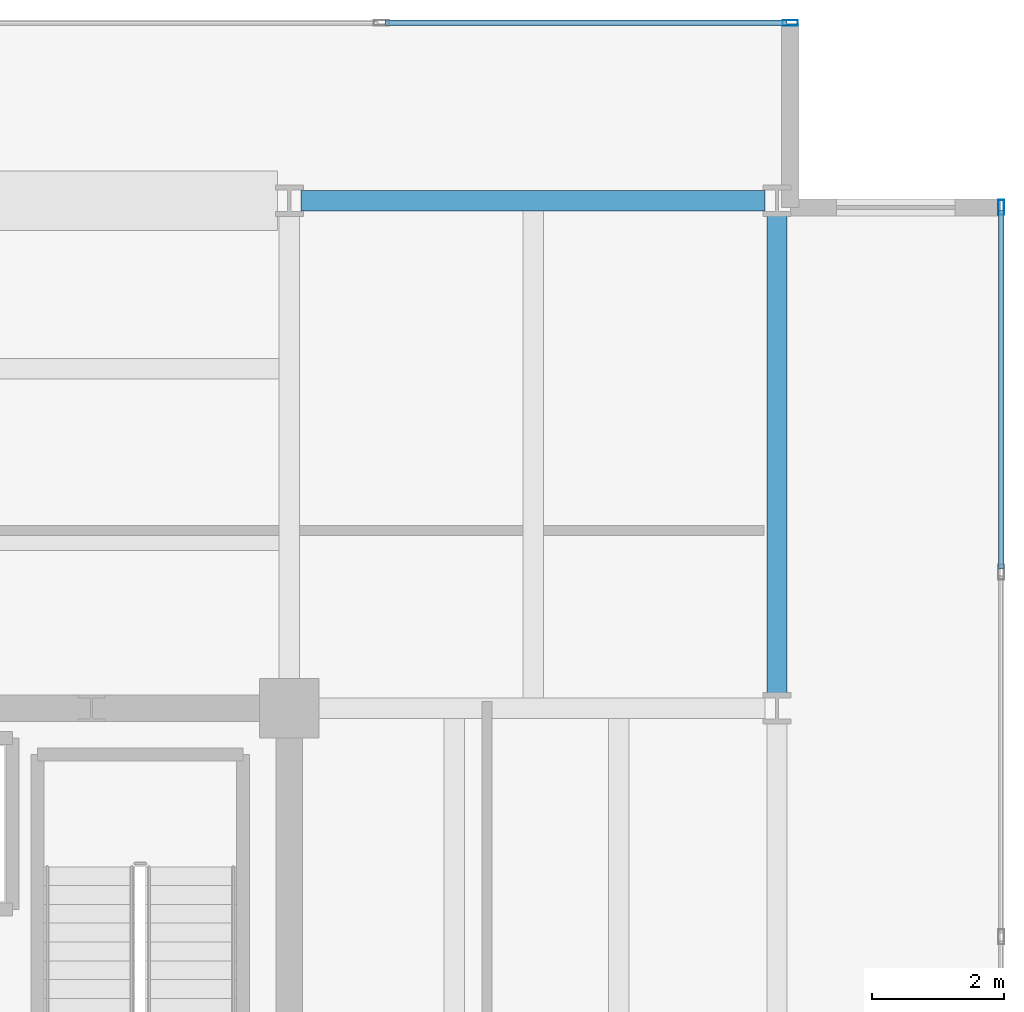
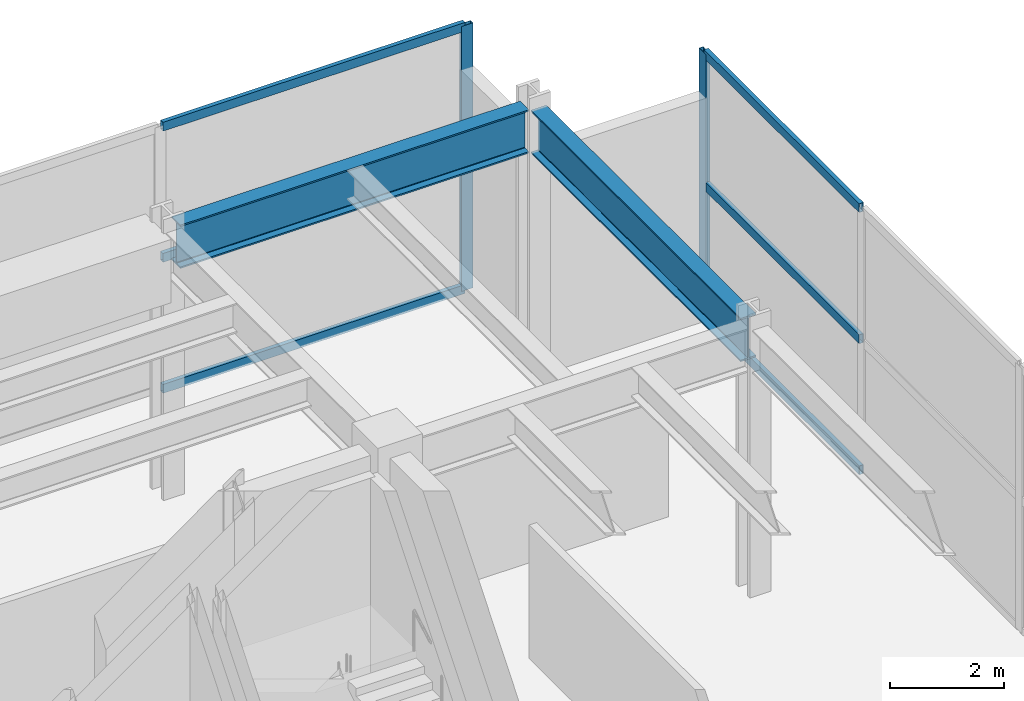
# One storey, part 16 of 21: 8 members, 2 beams, 2 elements without a shape of their own.
"""IFC4 building model written with IfcOpenShell, lengths in metres."""

import ifcopenshell
import ifcopenshell.guid

model = None  # the IFC model being written
_history = None  # IfcOwnerHistory: only IFC2X3 demands one
_inside = {}  # id of a spatial element -> (the spatial element, [elements in it])
_under = {}  # id of a project, library or spatial element -> (it, [spatial elements below it])
_declared = {}  # id of a project -> (the project, [libraries it declares])
_typed = {}  # id of a type object -> (the type object, [elements of that type])
_made_of = {}  # id of a material, layer set ... -> (it, [elements and type objects made of it])


def new_model(schema):
    """Start an empty IFC model of exactly this schema.

    Asked for "IFC4X3", IfcOpenShell would pick the latest addendum, in which some entities
    have other attributes; the version numbers below select the first issue.
    IFC2X3 requires an IfcOwnerHistory on every rooted entity: one is made here for all.
    """
    global model, _history
    if schema == "IFC4X3":
        model = ifcopenshell.file(schema_version=(4, 3, 0, 0))
    else:
        model = ifcopenshell.file(schema=schema)
    _inside.clear()
    _under.clear()
    _declared.clear()
    _typed.clear()
    _made_of.clear()
    _history = None
    if model.schema == "IFC2X3":
        org = make("IfcOrganization", Name="unknown")
        user = make(
            "IfcPersonAndOrganization",
            ThePerson=make("IfcPerson", FamilyName="unknown"),
            TheOrganization=org,
        )
        app = make(
            "IfcApplication",
            ApplicationDeveloper=org,
            Version="unknown",
            ApplicationFullName="unknown",
            ApplicationIdentifier="unknown",
        )
        _history = make(
            "IfcOwnerHistory",
            OwningUser=user,
            OwningApplication=app,
            ChangeAction="ADDED",
            CreationDate=0,
        )
    return model


def make(cls, **values):
    """One entity of the class cls with the attributes given. An attribute that is None is left unset."""
    return model.create_entity(
        cls, **{name: value for name, value in values.items() if value is not None}
    )


def rooted(cls, **values):
    """An entity with a GlobalId (a new one), such as an element, a storey or a relation."""
    return make(cls, GlobalId=ifcopenshell.guid.new(), OwnerHistory=_history, **values)


def si_unit(unit_type, name, prefix=None):
    """IfcSIUnit, for example si_unit("LENGTHUNIT", "METRE", prefix="MILLI")."""
    return make("IfcSIUnit", UnitType=unit_type, Prefix=prefix, Name=name)


def assignment(units):
    """IfcUnitAssignment: the units of a project."""
    return None if units is None else make("IfcUnitAssignment", Units=units)


def point(xyz):
    """IfcCartesianPoint."""
    return None if xyz is None else make("IfcCartesianPoint", Coordinates=xyz)


def direction(xyz):
    """IfcDirection."""
    return None if xyz is None else make("IfcDirection", DirectionRatios=xyz)


def frame(location, z_axis=None, x_axis=None):
    """IfcAxis2Placement3D, a coordinate frame: its origin and axes. An axis left out is left unset."""
    return make(
        "IfcAxis2Placement3D",
        Location=point(location),
        Axis=direction(z_axis),
        RefDirection=direction(x_axis),
    )


def frame_2d(location, x_axis=None):
    """IfcAxis2Placement2D, a coordinate frame in the plane: its origin and x axis."""
    return make(
        "IfcAxis2Placement2D", Location=point(location), RefDirection=direction(x_axis)
    )


def origin():
    """The frame at (0, 0, 0) with its axes left unset."""
    return frame((0.0, 0.0, 0.0))


def origin_2d():
    """The frame at (0, 0) in the plane with its x axis left unset."""
    return frame_2d((0.0, 0.0))


def place(relative_to, where):
    """IfcLocalPlacement: puts the frame where relative to a parent placement (None: the world)."""
    return make(
        "IfcLocalPlacement", PlacementRelTo=relative_to, RelativePlacement=where
    )


def context(
    kind, dimensions, precision=None, world=None, true_north=None, identifier=None
):
    """IfcGeometricRepresentationContext, for example the 3D "Model" context."""
    return make(
        "IfcGeometricRepresentationContext",
        ContextIdentifier=identifier,
        ContextType=kind,
        CoordinateSpaceDimension=dimensions,
        Precision=precision,
        WorldCoordinateSystem=world,
        TrueNorth=true_north,
    )


def subcontext(parent, identifier, kind, view, scale=None):
    """IfcGeometricRepresentationSubContext, for example "Body" below "Model"."""
    return make(
        "IfcGeometricRepresentationSubContext",
        ContextIdentifier=identifier,
        ContextType=kind,
        ParentContext=parent,
        TargetScale=scale,
        TargetView=view,
    )


def project(units=None, contexts=None):
    """IfcProject with its units and contexts."""
    return rooted(
        "IfcProject",
        Name="project",
        RepresentationContexts=contexts,
        UnitsInContext=assignment(units),
    )


def spatial(cls, under=None, at=None, **own):
    """A site, building, storey or space (cls), placed at a placement, below another one or the project."""
    s = rooted(cls, ObjectPlacement=at, **own)
    if under is not None:
        _under.setdefault(under.id(), (under, []))[1].append(s)
    return s


def profile(cls, at=None, kind="AREA", **sizes):
    """A parametric profile (cls). Its sizes go by their IFC names, for example OverallWidth=200.0."""
    return make(cls, ProfileType=kind, Position=at, **sizes)


def hollow_rectangle(**sizes):
    """IfcRectangleHollowProfileDef."""
    return profile("IfcRectangleHollowProfileDef", **sizes)


def i_section(**sizes):
    """IfcIShapeProfileDef."""
    return profile("IfcIShapeProfileDef", **sizes)


def extrude(swept, where, along, depth):
    """IfcExtrudedAreaSolid: the profile swept, set in the frame where, extruded along a direction by depth."""
    return make(
        "IfcExtrudedAreaSolid",
        SweptArea=swept,
        Position=where,
        ExtrudedDirection=direction(along),
        Depth=depth,
    )


def shape(context_of_items, identifier, shape_type, items):
    """IfcShapeRepresentation: the items that make up one representation, for example the "Body"."""
    return make(
        "IfcShapeRepresentation",
        ContextOfItems=context_of_items,
        RepresentationIdentifier=identifier,
        RepresentationType=shape_type,
        Items=items,
    )


def material(Name=None, Category=None):
    """IfcMaterial."""
    return make("IfcMaterial", Name=Name, Category=Category)


def material_profile(
    of_material, cross_section, Name=None, Category=None, Priority=None
):
    """IfcMaterialProfile: a cross section and its material."""
    return make(
        "IfcMaterialProfile",
        Name=Name,
        Material=of_material,
        Profile=cross_section,
        Priority=Priority,
        Category=Category,
    )


def profile_set(profiles, Name=None, composite=None):
    """IfcMaterialProfileSet."""
    return make(
        "IfcMaterialProfileSet",
        Name=Name,
        MaterialProfiles=profiles,
        CompositeProfile=composite,
    )


def made_of(thing, what):
    """Note that an element or type object is made of a material, layer set ...; save() writes the relation."""
    if what is not None:
        _made_of.setdefault(what.id(), (what, []))[1].append(thing)
    return thing


def type_object(cls, material=None, **own):
    """A type object (cls), such as IfcWallType, which elements share."""
    return made_of(rooted(cls, **own), material)


def element(
    cls,
    number,
    at=None,
    inside=None,
    cuts=None,
    type_object=None,
    material=None,
    context=None,
    identifier="Body",
    shape_type=None,
    held_by="IfcProductDefinitionShape",
    body=None,
    shapes=None,
    **own,
):
    """One element of the class cls, such as IfcWall. Its Tag is "e" and its number.

    at: its placement. inside: the storey or other place that contains it. cuts: it is an
    opening in that element (IfcRelVoidsElement). A single representation is given by context,
    identifier, shape_type and body (its items); several are given by shapes. held_by: the class
    of the entity that holds the representations. save() writes the other relations.
    """
    e = rooted(cls, Tag="e%d" % number, ObjectPlacement=at, **own)
    if body is not None:
        shapes = [shape(context, identifier, shape_type, body)]
    if shapes is not None:
        e.Representation = make(held_by, Representations=shapes)
    if inside is not None:
        _inside.setdefault(inside.id(), (inside, []))[1].append(e)
    if cuts is not None:
        rooted(
            "IfcRelVoidsElement", RelatingBuildingElement=cuts, RelatedOpeningElement=e
        )
    if type_object is not None:
        _typed.setdefault(type_object.id(), (type_object, []))[1].append(e)
    return made_of(e, material)


def aggregate(whole, parts):
    """IfcRelAggregates: a whole, such as a stair, and the parts it consists of."""
    return rooted("IfcRelAggregates", RelatingObject=whole, RelatedObjects=parts)


def save(model, path):
    """Write the relations noted so far, then the file.

    IfcRelAggregates (storeys below a building ...), IfcRelContainedInSpatialStructure (elements
    in a storey), IfcRelDefinesByType, IfcRelAssociatesMaterial and IfcRelDeclares: one each for
    every whole, place, type object, material and project.
    """
    for whole, parts in _under.values():
        aggregate(whole, parts)
    for where, things in _inside.values():
        rooted(
            "IfcRelContainedInSpatialStructure",
            RelatedElements=things,
            RelatingStructure=where,
        )
    for kind, things in _typed.values():
        rooted("IfcRelDefinesByType", RelatedObjects=things, RelatingType=kind)
    for what, things in _made_of.values():
        rooted("IfcRelAssociatesMaterial", RelatedObjects=things, RelatingMaterial=what)
    for by, libraries in _declared.values():
        rooted("IfcRelDeclares", RelatingContext=by, RelatedDefinitions=libraries)
    model.write(path)


model = new_model("IFC4")

# Units and contexts
model_context = context("Model", 3, precision=1e-05, world=origin(), true_north=direction((0.0, 1.0)))
body_context = subcontext(model_context, "Body", "Model", "MODEL_VIEW")
ifc_project = project(units=[si_unit("LENGTHUNIT", "METRE"), si_unit("AREAUNIT", "SQUARE_METRE"), si_unit("VOLUMEUNIT", "CUBIC_METRE"), si_unit("PLANEANGLEUNIT", "RADIAN"), si_unit("MASSUNIT", "GRAM", prefix="KILO")], contexts=[model_context])

# Site, building, storey
site_placement = place(None, origin())
site = spatial("IfcSite", under=ifc_project, at=site_placement, CompositionType="ELEMENT")
building_placement = place(site_placement, origin())
building = spatial("IfcBuilding", under=site, at=building_placement, Name="Kovane Verandah Tower", CompositionType="ELEMENT")
storey_placement = place(building_placement, frame((0.0, 0.0, 342.800048828125)))
storey = spatial("IfcBuildingStorey", under=building, at=storey_placement, Name="L80", CompositionType="ELEMENT", Elevation=342.800048828125)

# Beams
ifc_material_1 = material(Name="Steel S460", Category="steel")
ifc_material_profile_1 = material_profile(ifc_material_1, i_section(OverallWidth=0.3076171875, OverallDepth=0.926513671875, WebThickness=0.01953125, FlangeThickness=0.031982421875, FilletRadius=0.01904296875, at=origin_2d()), Name="UB914x305x289")
ifc_profile_set_1 = profile_set([ifc_material_profile_1], Name="Steel S460")
beam_type = type_object("IfcBeamType", Name="BM-UB914x289", PredefinedType="BEAM", material=ifc_profile_set_1)
beam_1_placement = place(storey_placement, frame((51.179931640625, 44.199951171875, 5.236572265625), z_axis=(1.0, 0.0, 0.0), x_axis=(0.0, 1.0, 0.0)))
element("IfcBeam", 1, at=beam_1_placement, inside=storey, type_object=beam_type, Name="L80 Primary Tower Girder G-RN3", PredefinedType="BEAM", context=body_context, shape_type="SweptSolid", body=[
    extrude(i_section(OverallWidth=0.3076171875, OverallDepth=0.926513671875, WebThickness=0.01953125, FlangeThickness=0.031982421875, FilletRadius=0.01904296875, at=origin_2d()), origin(), (0.0, 0.0, 1.0), 7.0400390625),
])
beam_2_placement = place(storey_placement, frame((58.39990234375, 36.679931640625, 5.236572265625), z_axis=(0.0, 1.0, 0.0), x_axis=(-1.0, 0.0, 0.0)))
element("IfcBeam", 2, at=beam_2_placement, inside=storey, type_object=beam_type, Name="L80 Primary Tower Girder G-RE3", PredefinedType="BEAM", context=body_context, shape_type="SweptSolid", body=[
    extrude(i_section(OverallWidth=0.3076171875, OverallDepth=0.926513671875, WebThickness=0.01953125, FlangeThickness=0.031982421875, FilletRadius=0.01904296875, at=origin_2d()), origin(), (0.0, 0.0, 1.0), 7.340087890625),
])

# Curtain wall, member
ifc_material_2 = material(Name="Champagne Anodised Aluminium Frame with Low-E Clear Laminated Glass", Category="aluminium")
curtain_wall_type = type_object("IfcCurtainWallType", Name="CW-SYS-06-CROWN", PredefinedType="NOTDEFINED", material=ifc_material_2)
curtain_wall_1_placement = place(storey_placement, origin())
curtain_wall_1 = element("IfcCurtainWall", 3, at=curtain_wall_1_placement, inside=storey, type_object=curtain_wall_type, Name="L80 E Unitised Curtain Wall", PredefinedType="NOTDEFINED")
ifc_material_3 = material(Name="Champagne Anodised Aluminium 6063-T6", Category="aluminium")
ifc_material_profile_2 = material_profile(ifc_material_3, hollow_rectangle(XDim=0.0849609375, YDim=0.22998046875, WallThickness=0.00390625, at=origin_2d()), Name="AL85x230x4")
ifc_profile_set_2 = profile_set([ifc_material_profile_2], Name="Champagne Anodised Aluminium 6063-T6")
member_type_1 = type_object("IfcMemberType", Name="CW-MUL-85x230", PredefinedType="MULLION", material=ifc_profile_set_2)
member_1_placement = place(storey_placement, frame((61.800048828125, 44.10009765625, 0.02001953125), z_axis=(0.0, 0.0, 1.0), x_axis=(1.0, 0.0, 0.0)))
member_1 = element("IfcMember", 4, at=member_1_placement, type_object=member_type_1, Name="L80 E Unitised Curtain Wall Mullion 7", PredefinedType="MULLION", context=body_context, shape_type="SweptSolid", body=[
    extrude(hollow_rectangle(XDim=0.0849609375, YDim=0.22998046875, WallThickness=0.00390625, at=origin_2d()), origin(), (0.0, 0.0, 1.0), 5.659912109375),
])

curtain_wall_2_placement = place(storey_placement, origin())
curtain_wall_2 = element("IfcCurtainWall", 5, at=curtain_wall_2_placement, inside=storey, type_object=curtain_wall_type, Name="L80 N Unitised Curtain Wall", PredefinedType="NOTDEFINED")
member_2_placement = place(storey_placement, frame((58.60009765625, 46.89990234375, 0.02001953125), z_axis=(0.0, 0.0, 1.0), x_axis=(0.0, 1.0, 0.0)))
member_2 = element("IfcMember", 6, at=member_2_placement, type_object=member_type_1, Name="L80 N Unitised Curtain Wall Mullion 1", PredefinedType="MULLION", context=body_context, shape_type="SweptSolid", body=[
    extrude(hollow_rectangle(XDim=0.0849609375, YDim=0.22998046875, WallThickness=0.00390625, at=origin_2d()), origin(), (0.0, 0.0, 1.0), 5.659912109375),
])

# Member
ifc_material_profile_3 = material_profile(ifc_material_3, hollow_rectangle(XDim=0.0849609375, YDim=0.18994140625, WallThickness=0.00390625, at=origin_2d()), Name="AL85x190x4")
ifc_profile_set_3 = profile_set([ifc_material_profile_3], Name="Champagne Anodised Aluminium 6063-T6")
member_type_2 = type_object("IfcMemberType", Name="CW-TRN-85x190", PredefinedType="USERDEFINED", material=ifc_profile_set_3)
member_3_placement = place(storey_placement, frame((61.800048828125, 38.61669921875, 0.050048828125), z_axis=(0.0, 1.0, 0.0), x_axis=(-1.0, 0.0, 0.0)))
member_3 = element("IfcMember", 7, at=member_3_placement, type_object=member_type_2, Name="L80 E Unitised Curtain Wall Transom TB Bay 6", ObjectType="TRANSOM", PredefinedType="USERDEFINED", context=body_context, shape_type="SweptSolid", body=[
    extrude(hollow_rectangle(XDim=0.0849609375, YDim=0.18994140625, WallThickness=0.00390625, at=origin_2d()), origin(), (0.0, 0.0, 1.0), 5.433349609375),
])

member_4_placement = place(storey_placement, frame((61.800048828125, 38.61669921875, 2.849853515625), z_axis=(0.0, 1.0, 0.0), x_axis=(-1.0, 0.0, 0.0)))
member_4 = element("IfcMember", 8, at=member_4_placement, type_object=member_type_2, Name="L80 E Unitised Curtain Wall Transom TM Bay 6", ObjectType="TRANSOM", PredefinedType="USERDEFINED", context=body_context, shape_type="SweptSolid", body=[
    extrude(hollow_rectangle(XDim=0.0849609375, YDim=0.18994140625, WallThickness=0.00390625, at=origin_2d()), origin(), (0.0, 0.0, 1.0), 5.433349609375),
])

member_5_placement = place(storey_placement, frame((61.800048828125, 38.61669921875, 5.64990234375), z_axis=(0.0, 1.0, 0.0), x_axis=(-1.0, 0.0, 0.0)))
member_5 = element("IfcMember", 9, at=member_5_placement, type_object=member_type_2, Name="L80 E Unitised Curtain Wall Transom TT Bay 6", ObjectType="TRANSOM", PredefinedType="USERDEFINED", context=body_context, shape_type="SweptSolid", body=[
    extrude(hollow_rectangle(XDim=0.0849609375, YDim=0.18994140625, WallThickness=0.00390625, at=origin_2d()), origin(), (0.0, 0.0, 1.0), 5.433349609375),
])

aggregate(curtain_wall_1, [member_1, member_3, member_4, member_5])

member_6_placement = place(storey_placement, frame((58.550048828125, 46.89990234375, 0.050048828125), z_axis=(-1.0, 0.0, 0.0), x_axis=(0.0, -1.0, 0.0)))
member_6 = element("IfcMember", 10, at=member_6_placement, type_object=member_type_2, Name="L80 N Unitised Curtain Wall Transom TB Bay 1", ObjectType="TRANSOM", PredefinedType="USERDEFINED", context=body_context, shape_type="SweptSolid", body=[
    extrude(hollow_rectangle(XDim=0.0849609375, YDim=0.18994140625, WallThickness=0.00390625, at=origin_2d()), origin(), (0.0, 0.0, 1.0), 6.10009765625),
])

member_7_placement = place(storey_placement, frame((58.550048828125, 46.89990234375, 2.849853515625), z_axis=(-1.0, 0.0, 0.0), x_axis=(0.0, -1.0, 0.0)))
member_7 = element("IfcMember", 11, at=member_7_placement, type_object=member_type_2, Name="L80 N Unitised Curtain Wall Transom TM Bay 1", ObjectType="TRANSOM", PredefinedType="USERDEFINED", context=body_context, shape_type="SweptSolid", body=[
    extrude(hollow_rectangle(XDim=0.0849609375, YDim=0.18994140625, WallThickness=0.00390625, at=origin_2d()), origin(), (0.0, 0.0, 1.0), 6.10009765625),
])

member_8_placement = place(storey_placement, frame((58.550048828125, 46.89990234375, 5.64990234375), z_axis=(-1.0, 0.0, 0.0), x_axis=(0.0, -1.0, 0.0)))
member_8 = element("IfcMember", 12, at=member_8_placement, type_object=member_type_2, Name="L80 N Unitised Curtain Wall Transom TT Bay 1", ObjectType="TRANSOM", PredefinedType="USERDEFINED", context=body_context, shape_type="SweptSolid", body=[
    extrude(hollow_rectangle(XDim=0.0849609375, YDim=0.18994140625, WallThickness=0.00390625, at=origin_2d()), origin(), (0.0, 0.0, 1.0), 6.10009765625),
])

aggregate(curtain_wall_2, [member_2, member_6, member_7, member_8])

save(model, "model.ifc")
